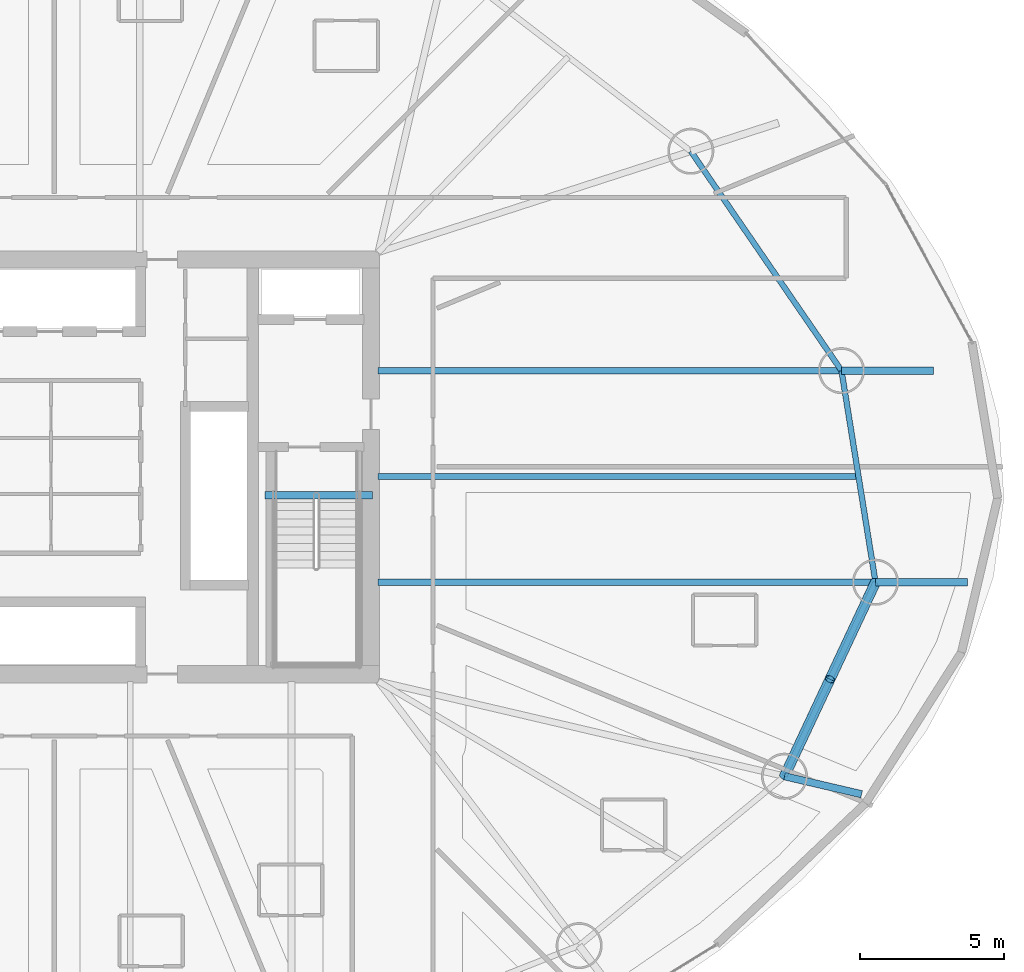
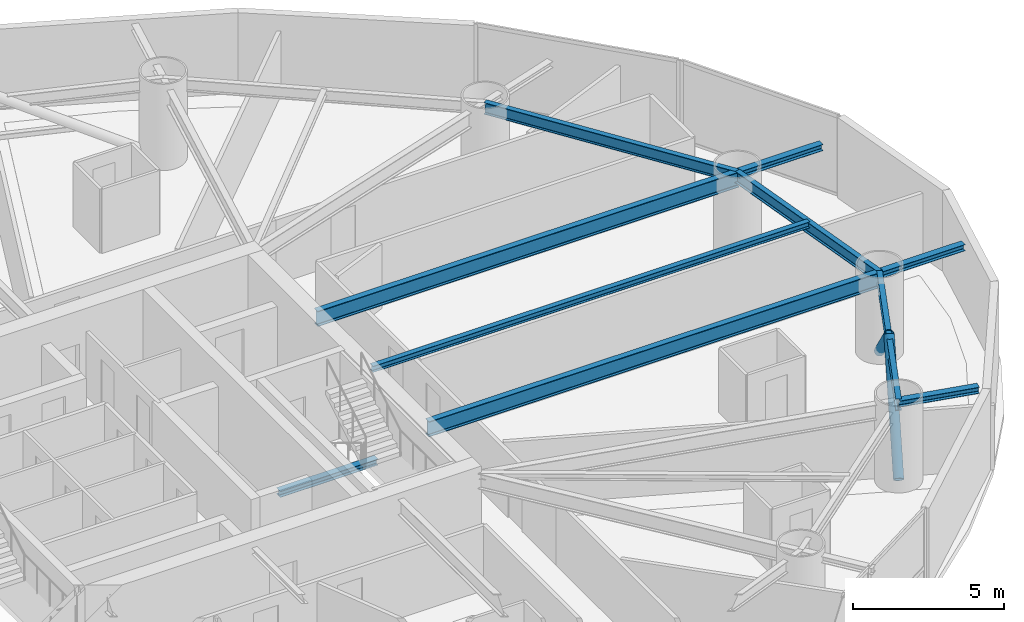
# One storey, part 9 of 27: 10 beams, 2 members.
"""IFC4 building model written with IfcOpenShell, lengths in metres."""

from ifc_helpers import new_model, si_unit, direction, frame, origin, origin_2d, place, context, subcontext, project, spatial, hollow_circle, i_section, extrude, material, material_profile, profile_set, type_object, element, save


model = new_model("IFC4")

# Units and contexts
model_context = context("Model", 3, precision=1e-05, world=origin(), true_north=direction((0.0, 1.0)))
body_context = subcontext(model_context, "Body", "Model", "MODEL_VIEW")
ifc_project = project(units=[si_unit("LENGTHUNIT", "METRE"), si_unit("AREAUNIT", "SQUARE_METRE"), si_unit("VOLUMEUNIT", "CUBIC_METRE"), si_unit("PLANEANGLEUNIT", "RADIAN"), si_unit("MASSUNIT", "GRAM", prefix="KILO")], contexts=[model_context])

# Site, building, storey
site_placement = place(None, origin())
site = spatial("IfcSite", under=ifc_project, at=site_placement, CompositionType="ELEMENT")
building_placement = place(site_placement, origin())
building = spatial("IfcBuilding", under=site, at=building_placement, Name="Bramvorn Convention Spire", CompositionType="ELEMENT")
storey_placement = place(building_placement, frame((0.0, 0.0, 44.89990234375)))
storey = spatial("IfcBuildingStorey", under=building, at=storey_placement, Name="L08", CompositionType="ELEMENT", Elevation=44.89990234375)

# Beams
ifc_material = material(Name="Steel CSA G40.21 Grade 350 (350W)", Category="steel")
ifc_material_profile_1 = material_profile(ifc_material, i_section(OverallWidth=0.201904296875, OverallDepth=0.2470703125, WebThickness=0.00732421875, FlangeThickness=0.010986328125, FilletRadius=0.011962890625, at=origin_2d()))
ifc_profile_set_1 = profile_set([ifc_material_profile_1], Name="Steel CSA G40.21 Grade 350 (350W) - W250X49")
beam_type_1 = type_object("IfcBeamType", Name="BM-W250X49", PredefinedType="JOIST", material=ifc_profile_set_1)
beam_1_placement = place(storey_placement, frame((49.25, 25.666015625, 3.126708984375), z_axis=(1.0, 0.0, 0.0), x_axis=(0.0, 1.0, 0.0)))
element("IfcBeam", 1, at=beam_1_placement, inside=storey, type_object=beam_type_1, Name="L08 composite floor joist 01", PredefinedType="JOIST", context=body_context, shape_type="SweptSolid", body=[
    extrude(i_section(OverallWidth=0.201904296875, OverallDepth=0.2470703125, WebThickness=0.00732421875, FlangeThickness=0.010986328125, FilletRadius=0.011962890625, at=origin_2d()), origin(), (0.0, 0.0, 1.0), 16.67919921875),
])
ifc_material_profile_2 = material_profile(ifc_material, i_section(OverallWidth=0.25390625, OverallDepth=0.2529296875, WebThickness=0.008544921875, FlangeThickness=0.01416015625, FilletRadius=0.011962890625, at=origin_2d()))
ifc_profile_set_2 = profile_set([ifc_material_profile_2], Name="Steel CSA G40.21 Grade 350 (350W) - W250X73")
beam_type_2 = type_object("IfcBeamType", Name="BM-W250X73", PredefinedType="BEAM", material=ifc_profile_set_2)
for number, where, z_axis, x_axis, name in (
    (2, (66.519775390625, 21.99169921875, 3.12353515625), (1.0, 0.0, 0.0), (0.0, 1.0, 0.0), "L08 slab-edge cantilever tip beam MC01"),
    (3, (65.338623046875, 29.340087890625, 3.12353515625), (1.0, 0.0, 0.0), (0.0, 1.0, 0.0), "L08 slab-edge cantilever tip beam MC02"),
):
    element("IfcBeam", number, at=place(storey_placement, frame(where, z_axis=z_axis, x_axis=x_axis)), inside=storey, type_object=beam_type_2, Name=name, PredefinedType="BEAM", context=body_context, shape_type="SweptSolid", body=[
        extrude(i_section(OverallWidth=0.25390625, OverallDepth=0.2529296875, WebThickness=0.008544921875, FlangeThickness=0.01416015625, FilletRadius=0.011962890625, at=origin_2d()), origin(), (0.0, 0.0, 1.0), 3.199951171875),
    ])
beam_2_placement = place(storey_placement, frame((63.35888671875, 15.253662109375, 3.12353515625), z_axis=(0.973792056536, -0.227440169338, 0.0), x_axis=(0.227440169338, 0.973792056536, 0.0)))
element("IfcBeam", 4, at=beam_2_placement, inside=storey, type_object=beam_type_2, Name="L08 slab-edge cantilever tip beam MC16", PredefinedType="BEAM", context=body_context, shape_type="SweptSolid", body=[
    extrude(i_section(OverallWidth=0.25390625, OverallDepth=0.2529296875, WebThickness=0.008544921875, FlangeThickness=0.01416015625, FilletRadius=0.011962890625, at=origin_2d()), origin(), (0.0, 0.0, 1.0), 2.7490234375),
])
beam_3_placement = place(storey_placement, frame((45.31005859375, 25.010009765625, -0.12646484375), z_axis=(1.0, 0.0, 0.0), x_axis=(0.0, 1.0, 0.0)))
element("IfcBeam", 5, at=beam_3_placement, inside=storey, type_object=beam_type_2, Name="L08 ST2 stair arrival header beam", PredefinedType="BEAM", context=body_context, shape_type="SweptSolid", body=[
    extrude(i_section(OverallWidth=0.25390625, OverallDepth=0.2529296875, WebThickness=0.008544921875, FlangeThickness=0.01416015625, FilletRadius=0.011962890625, at=origin_2d()), origin(), (0.0, 0.0, 1.0), 3.739990234375),
])
ifc_material_profile_3 = material_profile(ifc_material, i_section(OverallWidth=0.194091796875, OverallDepth=0.468994140625, WebThickness=0.0126953125, FlangeThickness=0.0205078125, FilletRadius=0.01806640625, at=origin_2d()))
ifc_profile_set_3 = profile_set([ifc_material_profile_3], Name="Steel CSA G40.21 Grade 350 (350W) - W460X106")
beam_type_3 = type_object("IfcBeamType", Name="BM-W460X106", PredefinedType="SPANDREL", material=ifc_profile_set_3)
beam_4_placement = place(storey_placement, frame((66.519775390625, 21.99169921875, 3.015625), z_axis=(-0.158699222824, 0.987326975563, 0.0), x_axis=(-0.987326975563, -0.158699222824, 0.0)))
element("IfcBeam", 6, at=beam_4_placement, inside=storey, type_object=beam_type_3, Name="L08 mega-column ring beam 01", PredefinedType="SPANDREL", context=body_context, shape_type="SweptSolid", body=[
    extrude(i_section(OverallWidth=0.194091796875, OverallDepth=0.468994140625, WebThickness=0.0126953125, FlangeThickness=0.0205078125, FilletRadius=0.01806640625, at=origin_2d()), origin(), (0.0, 0.0, 1.0), 7.442626953125),
])
beam_5_placement = place(storey_placement, frame((65.338623046875, 29.340087890625, 3.015625), z_axis=(-0.566129730789, 0.824316157743, 0.0), x_axis=(-0.824316157743, -0.566129730789, 0.0)))
element("IfcBeam", 7, at=beam_5_placement, inside=storey, type_object=beam_type_3, Name="L08 mega-column ring beam 02", PredefinedType="SPANDREL", context=body_context, shape_type="SweptSolid", body=[
    extrude(i_section(OverallWidth=0.194091796875, OverallDepth=0.468994140625, WebThickness=0.0126953125, FlangeThickness=0.0205078125, FilletRadius=0.01806640625, at=origin_2d()), origin(), (0.0, 0.0, 1.0), 9.244140625),
])
beam_6_placement = place(storey_placement, frame((63.35888671875, 15.253662109375, 3.015625), z_axis=(0.424701955478, 0.9053332254, 0.0), x_axis=(-0.9053332254, 0.424701955478, 0.0)))
element("IfcBeam", 8, at=beam_6_placement, inside=storey, type_object=beam_type_3, Name="L08 mega-column ring beam 16", PredefinedType="SPANDREL", context=body_context, shape_type="SweptSolid", body=[
    extrude(i_section(OverallWidth=0.194091796875, OverallDepth=0.468994140625, WebThickness=0.0126953125, FlangeThickness=0.0205078125, FilletRadius=0.01806640625, at=origin_2d()), origin(), (0.0, 0.0, 1.0), 7.442626953125),
])
ifc_material_profile_4 = material_profile(ifc_material, i_section(OverallWidth=0.22998046875, OverallDepth=0.616943359375, WebThickness=0.01318359375, FlangeThickness=0.022216796875, FilletRadius=0.02001953125, at=origin_2d()))
ifc_profile_set_4 = profile_set([ifc_material_profile_4], Name="Steel CSA G40.21 Grade 350 (350W) - W610X140")
beam_type_4 = type_object("IfcBeamType", Name="BM-W610X140", PredefinedType="BEAM", material=ifc_profile_set_4)
beam_7_placement = place(storey_placement, frame((49.25, 21.99169921875, 2.941650390625), z_axis=(1.0, 0.0, 0.0), x_axis=(0.0, 1.0, 0.0)))
element("IfcBeam", 9, at=beam_7_placement, inside=storey, type_object=beam_type_4, Name="L08 radial floor girder MC01", PredefinedType="BEAM", context=body_context, shape_type="SweptSolid", body=[
    extrude(i_section(OverallWidth=0.22998046875, OverallDepth=0.616943359375, WebThickness=0.01318359375, FlangeThickness=0.022216796875, FilletRadius=0.02001953125, at=origin_2d()), origin(), (0.0, 0.0, 1.0), 17.269775390625),
])
beam_8_placement = place(storey_placement, frame((49.25, 29.340087890625, 2.941650390625), z_axis=(1.0, 0.0, 0.0), x_axis=(0.0, 1.0, 0.0)))
element("IfcBeam", 10, at=beam_8_placement, inside=storey, type_object=beam_type_4, Name="L08 radial floor girder MC02", PredefinedType="BEAM", context=body_context, shape_type="SweptSolid", body=[
    extrude(i_section(OverallWidth=0.22998046875, OverallDepth=0.616943359375, WebThickness=0.01318359375, FlangeThickness=0.022216796875, FilletRadius=0.02001953125, at=origin_2d()), origin(), (0.0, 0.0, 1.0), 16.088623046875),
])

# Members
ifc_material_profile_5 = material_profile(ifc_material, hollow_circle(Radius=0.177734375, WallThickness=0.015869140625, at=origin_2d()))
ifc_profile_set_5 = profile_set([ifc_material_profile_5], Name="Steel CSA G40.21 Grade 350 (350W) - CHS356X16")
member_type = type_object("IfcMemberType", Name="MBR-CHS356X16", PredefinedType="BRACE", material=ifc_profile_set_5)
for number, where, z_axis, x_axis, name in (
    (11, (63.35888671875, 15.253662109375, 0.0), (0.319854623913, 0.681908513826, 0.65779464754), (-0.905351753695, 0.424662456643, 0.0), "L08 perimeter Gothic lancet brace 16A"),
    (12, (66.519775390625, 21.99169921875, 0.0), (-0.319909760159, -0.681871297566, 0.657806414465), (0.905314694797, -0.424741454752, 0.0), "L08 perimeter Gothic lancet brace 16B"),
):
    element("IfcMember", number, at=place(storey_placement, frame(where, z_axis=z_axis, x_axis=x_axis)), inside=storey, type_object=member_type, Name=name, PredefinedType="BRACE", context=body_context, shape_type="SweptSolid", body=[
        extrude(hollow_circle(Radius=0.177734375, WallThickness=0.015869140625, at=origin_2d()), origin(), (0.0, 0.0, 1.0), 4.940673828125),
    ])

save(model, "model.ifc")
